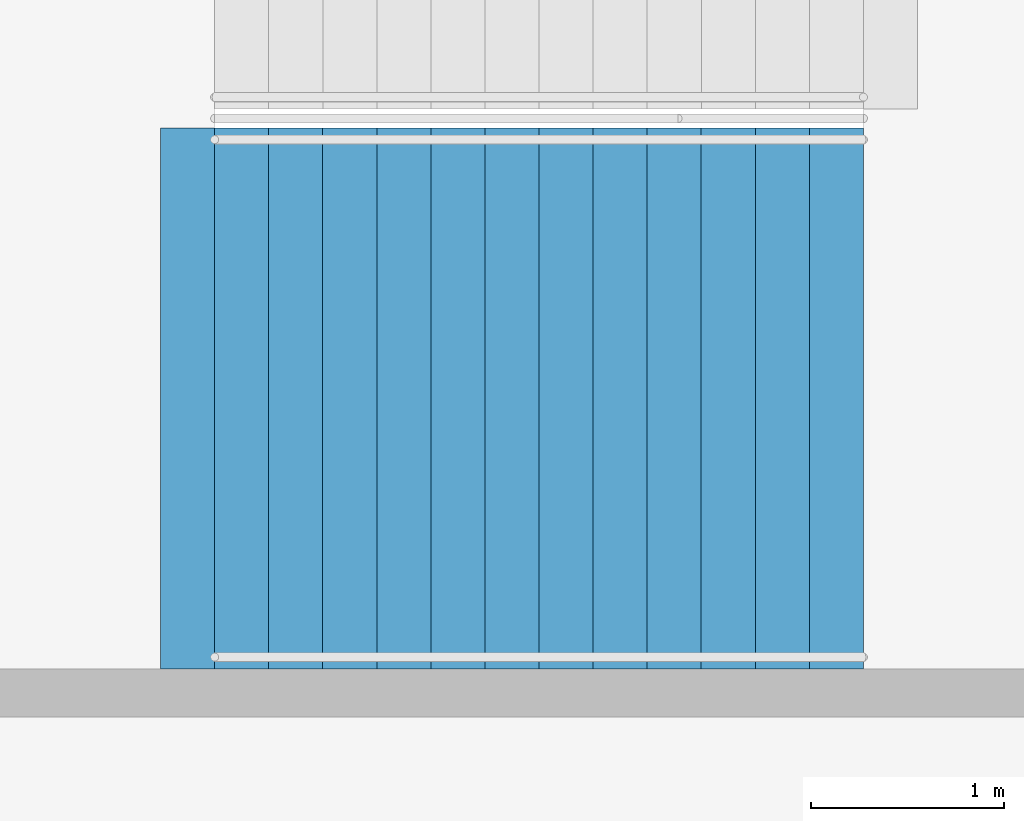
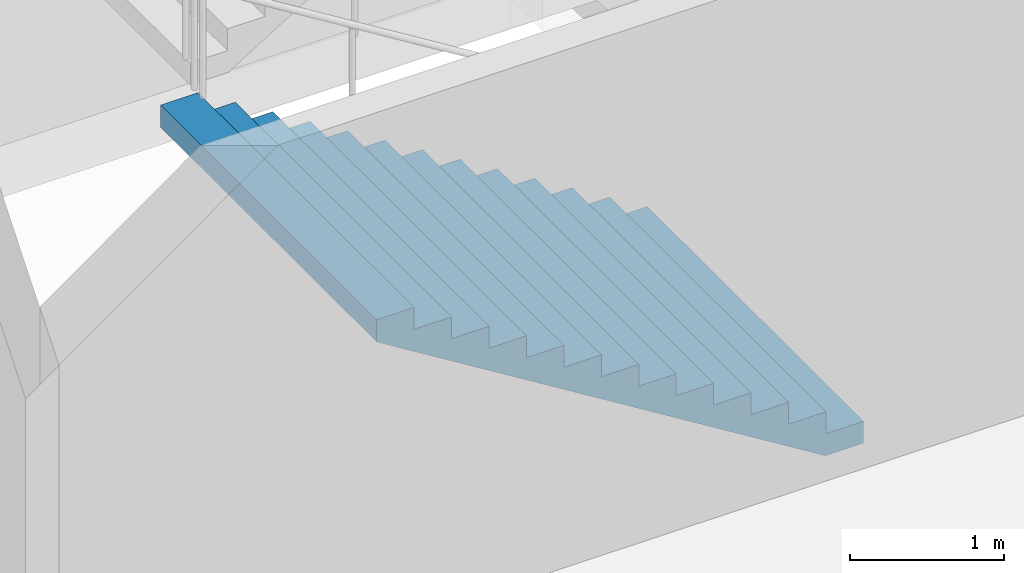
# One storey, part 134 of 199: 1 stair flight, 1 element without a shape of its own.
"""IFC4 building model written with IfcOpenShell, lengths in metres."""

from ifc_helpers import new_model, si_unit, direction, frame, origin, place, context, subcontext, project, spatial, faceted_brep, material, type_object, element, aggregate, save


model = new_model("IFC4")

# Units and contexts
model_context = context("Model", 3, precision=1e-05, world=origin(), true_north=direction((0.0, 1.0)))
body_context = subcontext(model_context, "Body", "Model", "MODEL_VIEW")
ifc_project = project(units=[si_unit("LENGTHUNIT", "METRE"), si_unit("AREAUNIT", "SQUARE_METRE"), si_unit("VOLUMEUNIT", "CUBIC_METRE"), si_unit("PLANEANGLEUNIT", "RADIAN"), si_unit("MASSUNIT", "GRAM", prefix="KILO")], contexts=[model_context])

# Site, building, storey
site_placement = place(None, origin())
site = spatial("IfcSite", under=ifc_project, at=site_placement, CompositionType="ELEMENT")
building_placement = place(site_placement, origin())
building = spatial("IfcBuilding", under=site, at=building_placement, Name="Ogive Plaza Stadium", CompositionType="ELEMENT")
storey_placement = place(building_placement, frame((0.0, 0.0, 4.5)))
storey = spatial("IfcBuildingStorey", under=building, at=storey_placement, Name="L01", CompositionType="ELEMENT", Elevation=4.5)

# Stair, stair flight
ifc_material_1 = material(Name="Concrete C40/50", Category="concrete")
stair_type = type_object("IfcStairType", Name="Exit stair", PredefinedType="STRAIGHT_RUN_STAIR", material=ifc_material_1)
stair_placement = place(storey_placement, origin())
stair = element("IfcStair", 1, at=stair_placement, inside=storey, type_object=stair_type, Name="Exit stair ST26B L01 to L02", PredefinedType="STRAIGHT_RUN_STAIR")
ifc_material_2 = material(Name="Concrete C40/50", Category="concrete")
stair_flight_type = type_object("IfcStairFlightType", Name="Exit stair flight", PredefinedType="STRAIGHT", material=ifc_material_2)
stair_flight_placement = place(storey_placement, frame((-76.35009765625, 18.074951171875, 0.0), z_axis=(0.0, 0.0, 1.0), x_axis=(-1.0, 0.0, 0.0)))
stair_flight = element("IfcStairFlight", 2, at=stair_flight_placement, type_object=stair_flight_type, Name="ST26B flight 1", NumberOfRisers=13, NumberOfTreads=12, PredefinedType="STRAIGHT", RiserHeight=0.173076923, TreadLength=0.28, context=body_context, shape_type="Brep", body=[
    faceted_brep([(0.28515625, -1.39990234375, 0.0), (3.639892578125, -1.39990234375, 2.07373046875), (3.639892578125, -1.39990234375, 2.25), (3.360107421875, -1.39990234375, 2.25), (3.360107421875, -1.39990234375, 2.076904296875), (3.080078125, -1.39990234375, 2.076904296875), (3.080078125, -1.39990234375, 1.90380859375), (2.800048828125, -1.39990234375, 1.90380859375), (2.800048828125, -1.39990234375, 1.730712890625), (2.52001953125, -1.39990234375, 1.730712890625), (2.52001953125, -1.39990234375, 1.5576171875), (2.239990234375, -1.39990234375, 1.5576171875), (2.239990234375, -1.39990234375, 1.384521484375), (1.9599609375, -1.39990234375, 1.384521484375), (1.9599609375, -1.39990234375, 1.21142578125), (1.679931640625, -1.39990234375, 1.21142578125), (1.679931640625, -1.39990234375, 1.03857421875), (1.39990234375, -1.39990234375, 1.03857421875), (1.39990234375, -1.39990234375, 0.865478515625), (1.1201171875, -1.39990234375, 0.865478515625), (1.1201171875, -1.39990234375, 0.6923828125), (0.840087890625, -1.39990234375, 0.6923828125), (0.840087890625, -1.39990234375, 0.519287109375), (0.56005859375, -1.39990234375, 0.519287109375), (0.56005859375, -1.39990234375, 0.34619140625), (0.280029296875, -1.39990234375, 0.34619140625), (0.280029296875, -1.39990234375, 0.173095703125), (0.0, -1.39990234375, 0.173095703125), (0.0, -1.39990234375, 0.0), (0.0, 1.39990234375, 0.0), (0.0, 1.39990234375, 0.173095703125), (0.280029296875, 1.39990234375, 0.173095703125), (0.280029296875, 1.39990234375, 0.34619140625), (0.56005859375, 1.39990234375, 0.34619140625), (0.56005859375, 1.39990234375, 0.519287109375), (0.840087890625, 1.39990234375, 0.519287109375), (0.840087890625, 1.39990234375, 0.6923828125), (1.1201171875, 1.39990234375, 0.6923828125), (1.1201171875, 1.39990234375, 0.865478515625), (1.39990234375, 1.39990234375, 0.865478515625), (1.39990234375, 1.39990234375, 1.03857421875), (1.679931640625, 1.39990234375, 1.03857421875), (1.679931640625, 1.39990234375, 1.21142578125), (1.9599609375, 1.39990234375, 1.21142578125), (1.9599609375, 1.39990234375, 1.384521484375), (2.239990234375, 1.39990234375, 1.384521484375), (2.239990234375, 1.39990234375, 1.5576171875), (2.52001953125, 1.39990234375, 1.5576171875), (2.52001953125, 1.39990234375, 1.730712890625), (2.800048828125, 1.39990234375, 1.730712890625), (2.800048828125, 1.39990234375, 1.90380859375), (3.080078125, 1.39990234375, 1.90380859375), (3.080078125, 1.39990234375, 2.076904296875), (3.360107421875, 1.39990234375, 2.076904296875), (3.360107421875, 1.39990234375, 2.25), (3.639892578125, 1.39990234375, 2.25), (3.639892578125, 1.39990234375, 2.07373046875), (0.28515625, 1.39990234375, 0.0), (0.28515625, -1.0888671875, 0.0), (3.639892578125, -1.0888671875, 2.07373046875), (0.28515625, -0.77783203125, 0.0), (3.639892578125, -0.77783203125, 2.07373046875), (0.28515625, -0.466796875, 0.0), (3.639892578125, -0.466796875, 2.07373046875), (0.28515625, -0.155517578125, 0.0), (3.639892578125, -0.155517578125, 2.07373046875), (0.28515625, 0.155517578125, 0.0), (3.639892578125, 0.155517578125, 2.07373046875), (0.28515625, 0.466796875, 0.0), (3.639892578125, 0.466796875, 2.07373046875), (0.28515625, 0.77783203125, 0.0), (3.639892578125, 0.77783203125, 2.07373046875), (0.28515625, 1.0888671875, 0.0), (3.639892578125, 1.0888671875, 2.07373046875), (3.639892578125, -1.0888671875, 2.25), (3.639892578125, -0.77783203125, 2.25), (3.639892578125, -0.466796875, 2.25), (3.639892578125, -0.155517578125, 2.25), (3.639892578125, 0.155517578125, 2.25), (3.639892578125, 0.466796875, 2.25), (3.639892578125, 0.77783203125, 2.25), (3.639892578125, 1.0888671875, 2.25), (3.360107421875, -1.0888671875, 2.25), (3.360107421875, -0.77783203125, 2.25), (3.360107421875, -0.466796875, 2.25), (3.360107421875, -0.155517578125, 2.25), (3.360107421875, 0.155517578125, 2.25), (3.360107421875, 0.466796875, 2.25), (3.360107421875, 0.77783203125, 2.25), (3.360107421875, 1.0888671875, 2.25), (3.360107421875, -1.0888671875, 2.076904296875), (3.360107421875, -0.77783203125, 2.076904296875), (3.360107421875, -0.466796875, 2.076904296875), (3.360107421875, -0.155517578125, 2.076904296875), (3.360107421875, 0.155517578125, 2.076904296875), (3.360107421875, 0.466796875, 2.076904296875), (3.360107421875, 0.77783203125, 2.076904296875), (3.360107421875, 1.0888671875, 2.076904296875), (3.080078125, -1.0888671875, 2.076904296875), (3.080078125, -0.77783203125, 2.076904296875), (3.080078125, -0.466796875, 2.076904296875), (3.080078125, -0.155517578125, 2.076904296875), (3.080078125, 0.155517578125, 2.076904296875), (3.080078125, 0.466796875, 2.076904296875), (3.080078125, 0.77783203125, 2.076904296875), (3.080078125, 1.0888671875, 2.076904296875), (3.080078125, -1.0888671875, 1.90380859375), (3.080078125, -0.77783203125, 1.90380859375), (3.080078125, -0.466796875, 1.90380859375), (3.080078125, -0.155517578125, 1.90380859375), (3.080078125, 0.155517578125, 1.90380859375), (3.080078125, 0.466796875, 1.90380859375), (3.080078125, 0.77783203125, 1.90380859375), (3.080078125, 1.0888671875, 1.90380859375), (2.800048828125, -1.0888671875, 1.90380859375), (2.800048828125, -0.77783203125, 1.90380859375), (2.800048828125, -0.466796875, 1.90380859375), (2.800048828125, -0.155517578125, 1.90380859375), (2.800048828125, 0.155517578125, 1.90380859375), (2.800048828125, 0.466796875, 1.90380859375), (2.800048828125, 0.77783203125, 1.90380859375), (2.800048828125, 1.0888671875, 1.90380859375), (2.800048828125, -1.0888671875, 1.730712890625), (2.800048828125, -0.77783203125, 1.730712890625), (2.800048828125, -0.466796875, 1.730712890625), (2.800048828125, -0.155517578125, 1.730712890625), (2.800048828125, 0.155517578125, 1.730712890625), (2.800048828125, 0.466796875, 1.730712890625), (2.800048828125, 0.77783203125, 1.730712890625), (2.800048828125, 1.0888671875, 1.730712890625), (2.52001953125, -1.0888671875, 1.730712890625), (2.52001953125, -0.77783203125, 1.730712890625), (2.52001953125, -0.466796875, 1.730712890625), (2.52001953125, -0.155517578125, 1.730712890625), (2.52001953125, 0.155517578125, 1.730712890625), (2.52001953125, 0.466796875, 1.730712890625), (2.52001953125, 0.77783203125, 1.730712890625), (2.52001953125, 1.0888671875, 1.730712890625), (2.52001953125, -1.0888671875, 1.5576171875), (2.52001953125, -0.77783203125, 1.5576171875), (2.52001953125, -0.466796875, 1.5576171875), (2.52001953125, -0.155517578125, 1.5576171875), (2.52001953125, 0.155517578125, 1.5576171875), (2.52001953125, 0.466796875, 1.5576171875), (2.52001953125, 0.77783203125, 1.5576171875), (2.52001953125, 1.0888671875, 1.5576171875), (2.239990234375, -1.0888671875, 1.5576171875), (2.239990234375, -0.77783203125, 1.5576171875), (2.239990234375, -0.466796875, 1.5576171875), (2.239990234375, -0.155517578125, 1.5576171875), (2.239990234375, 0.155517578125, 1.5576171875), (2.239990234375, 0.466796875, 1.5576171875), (2.239990234375, 0.77783203125, 1.5576171875), (2.239990234375, 1.0888671875, 1.5576171875), (2.239990234375, -1.0888671875, 1.384521484375), (2.239990234375, -0.77783203125, 1.384521484375), (2.239990234375, -0.466796875, 1.384521484375), (2.239990234375, -0.155517578125, 1.384521484375), (2.239990234375, 0.155517578125, 1.384521484375), (2.239990234375, 0.466796875, 1.384521484375), (2.239990234375, 0.77783203125, 1.384521484375), (2.239990234375, 1.0888671875, 1.384521484375), (1.9599609375, -1.0888671875, 1.384521484375), (1.9599609375, -0.77783203125, 1.384521484375), (1.9599609375, -0.466796875, 1.384521484375), (1.9599609375, -0.155517578125, 1.384521484375), (1.9599609375, 0.155517578125, 1.384521484375), (1.9599609375, 0.466796875, 1.384521484375), (1.9599609375, 0.77783203125, 1.384521484375), (1.9599609375, 1.0888671875, 1.384521484375), (1.9599609375, -1.0888671875, 1.21142578125), (1.9599609375, -0.77783203125, 1.21142578125), (1.9599609375, -0.466796875, 1.21142578125), (1.9599609375, -0.155517578125, 1.21142578125), (1.9599609375, 0.155517578125, 1.21142578125), (1.9599609375, 0.466796875, 1.21142578125), (1.9599609375, 0.77783203125, 1.21142578125), (1.9599609375, 1.0888671875, 1.21142578125), (1.679931640625, -1.0888671875, 1.21142578125), (1.679931640625, -0.77783203125, 1.21142578125), (1.679931640625, -0.466796875, 1.21142578125), (1.679931640625, -0.155517578125, 1.21142578125), (1.679931640625, 0.155517578125, 1.21142578125), (1.679931640625, 0.466796875, 1.21142578125), (1.679931640625, 0.77783203125, 1.21142578125), (1.679931640625, 1.0888671875, 1.21142578125), (1.679931640625, -1.0888671875, 1.03857421875), (1.679931640625, -0.77783203125, 1.03857421875), (1.679931640625, -0.466796875, 1.03857421875), (1.679931640625, -0.155517578125, 1.03857421875), (1.679931640625, 0.155517578125, 1.03857421875), (1.679931640625, 0.466796875, 1.03857421875), (1.679931640625, 0.77783203125, 1.03857421875), (1.679931640625, 1.0888671875, 1.03857421875), (1.39990234375, -1.0888671875, 1.03857421875), (1.39990234375, -0.77783203125, 1.03857421875), (1.39990234375, -0.466796875, 1.03857421875), (1.39990234375, -0.155517578125, 1.03857421875), (1.39990234375, 0.155517578125, 1.03857421875), (1.39990234375, 0.466796875, 1.03857421875), (1.39990234375, 0.77783203125, 1.03857421875), (1.39990234375, 1.0888671875, 1.03857421875), (1.39990234375, -1.0888671875, 0.865478515625), (1.39990234375, -0.77783203125, 0.865478515625), (1.39990234375, -0.466796875, 0.865478515625), (1.39990234375, -0.155517578125, 0.865478515625), (1.39990234375, 0.155517578125, 0.865478515625), (1.39990234375, 0.466796875, 0.865478515625), (1.39990234375, 0.77783203125, 0.865478515625), (1.39990234375, 1.0888671875, 0.865478515625), (1.1201171875, -1.0888671875, 0.865478515625), (1.1201171875, -0.77783203125, 0.865478515625), (1.1201171875, -0.466796875, 0.865478515625), (1.1201171875, -0.155517578125, 0.865478515625), (1.1201171875, 0.155517578125, 0.865478515625), (1.1201171875, 0.466796875, 0.865478515625), (1.1201171875, 0.77783203125, 0.865478515625), (1.1201171875, 1.0888671875, 0.865478515625), (1.1201171875, -1.0888671875, 0.6923828125), (1.1201171875, -0.77783203125, 0.6923828125), (1.1201171875, -0.466796875, 0.6923828125), (1.1201171875, -0.155517578125, 0.6923828125), (1.1201171875, 0.155517578125, 0.6923828125), (1.1201171875, 0.466796875, 0.6923828125), (1.1201171875, 0.77783203125, 0.6923828125), (1.1201171875, 1.0888671875, 0.6923828125), (0.840087890625, -1.0888671875, 0.6923828125), (0.840087890625, -0.77783203125, 0.6923828125), (0.840087890625, -0.466796875, 0.6923828125), (0.840087890625, -0.155517578125, 0.6923828125), (0.840087890625, 0.155517578125, 0.6923828125), (0.840087890625, 0.466796875, 0.6923828125), (0.840087890625, 0.77783203125, 0.6923828125), (0.840087890625, 1.0888671875, 0.6923828125), (0.840087890625, -1.0888671875, 0.519287109375), (0.840087890625, -0.77783203125, 0.519287109375), (0.840087890625, -0.466796875, 0.519287109375), (0.840087890625, -0.155517578125, 0.519287109375), (0.840087890625, 0.155517578125, 0.519287109375), (0.840087890625, 0.466796875, 0.519287109375), (0.840087890625, 0.77783203125, 0.519287109375), (0.840087890625, 1.0888671875, 0.519287109375), (0.56005859375, -1.0888671875, 0.519287109375), (0.56005859375, -0.77783203125, 0.519287109375), (0.56005859375, -0.466796875, 0.519287109375), (0.56005859375, -0.155517578125, 0.519287109375), (0.56005859375, 0.155517578125, 0.519287109375), (0.56005859375, 0.466796875, 0.519287109375), (0.56005859375, 0.77783203125, 0.519287109375), (0.56005859375, 1.0888671875, 0.519287109375), (0.56005859375, -1.0888671875, 0.34619140625), (0.56005859375, -0.77783203125, 0.34619140625), (0.56005859375, -0.466796875, 0.34619140625), (0.56005859375, -0.155517578125, 0.34619140625), (0.56005859375, 0.155517578125, 0.34619140625), (0.56005859375, 0.466796875, 0.34619140625), (0.56005859375, 0.77783203125, 0.34619140625), (0.56005859375, 1.0888671875, 0.34619140625), (0.280029296875, -1.0888671875, 0.34619140625), (0.280029296875, -0.77783203125, 0.34619140625), (0.280029296875, -0.466796875, 0.34619140625), (0.280029296875, -0.155517578125, 0.34619140625), (0.280029296875, 0.155517578125, 0.34619140625), (0.280029296875, 0.466796875, 0.34619140625), (0.280029296875, 0.77783203125, 0.34619140625), (0.280029296875, 1.0888671875, 0.34619140625), (0.280029296875, -1.0888671875, 0.173095703125), (0.280029296875, -0.77783203125, 0.173095703125), (0.280029296875, -0.466796875, 0.173095703125), (0.280029296875, -0.155517578125, 0.173095703125), (0.280029296875, 0.155517578125, 0.173095703125), (0.280029296875, 0.466796875, 0.173095703125), (0.280029296875, 0.77783203125, 0.173095703125), (0.280029296875, 1.0888671875, 0.173095703125), (0.0, -1.0888671875, 0.173095703125), (0.0, -0.77783203125, 0.173095703125), (0.0, -0.466796875, 0.173095703125), (0.0, -0.155517578125, 0.173095703125), (0.0, 0.155517578125, 0.173095703125), (0.0, 0.466796875, 0.173095703125), (0.0, 0.77783203125, 0.173095703125), (0.0, 1.0888671875, 0.173095703125), (0.0, -1.0888671875, 0.0), (0.0, -0.77783203125, 0.0), (0.0, -0.466796875, 0.0), (0.0, -0.155517578125, 0.0), (0.0, 0.155517578125, 0.0), (0.0, 0.466796875, 0.0), (0.0, 0.77783203125, 0.0), (0.0, 1.0888671875, 0.0)], [[[0, 1, 2, 3, 4, 5, 6, 7, 8, 9, 10, 11, 12, 13, 14, 15, 16, 17, 18, 19, 20, 21, 22, 23, 24, 25, 26, 27, 28]], [[29, 30, 31, 32, 33, 34, 35, 36, 37, 38, 39, 40, 41, 42, 43, 44, 45, 46, 47, 48, 49, 50, 51, 52, 53, 54, 55, 56, 57]], [[0, 58, 59, 1]], [[58, 60, 61, 59]], [[60, 62, 63, 61]], [[62, 64, 65, 63]], [[64, 66, 67, 65]], [[66, 68, 69, 67]], [[68, 70, 71, 69]], [[70, 72, 73, 71]], [[72, 57, 56, 73]], [[1, 59, 74, 2]], [[59, 61, 75, 74]], [[61, 63, 76, 75]], [[63, 65, 77, 76]], [[65, 67, 78, 77]], [[67, 69, 79, 78]], [[69, 71, 80, 79]], [[71, 73, 81, 80]], [[73, 56, 55, 81]], [[2, 74, 82, 3]], [[74, 75, 83, 82]], [[75, 76, 84, 83]], [[76, 77, 85, 84]], [[77, 78, 86, 85]], [[78, 79, 87, 86]], [[79, 80, 88, 87]], [[80, 81, 89, 88]], [[81, 55, 54, 89]], [[3, 82, 90, 4]], [[82, 83, 91, 90]], [[83, 84, 92, 91]], [[84, 85, 93, 92]], [[85, 86, 94, 93]], [[86, 87, 95, 94]], [[87, 88, 96, 95]], [[88, 89, 97, 96]], [[89, 54, 53, 97]], [[4, 90, 98, 5]], [[90, 91, 99, 98]], [[91, 92, 100, 99]], [[92, 93, 101, 100]], [[93, 94, 102, 101]], [[94, 95, 103, 102]], [[95, 96, 104, 103]], [[96, 97, 105, 104]], [[97, 53, 52, 105]], [[5, 98, 106, 6]], [[98, 99, 107, 106]], [[99, 100, 108, 107]], [[100, 101, 109, 108]], [[101, 102, 110, 109]], [[102, 103, 111, 110]], [[103, 104, 112, 111]], [[104, 105, 113, 112]], [[105, 52, 51, 113]], [[6, 106, 114, 7]], [[106, 107, 115, 114]], [[107, 108, 116, 115]], [[108, 109, 117, 116]], [[109, 110, 118, 117]], [[110, 111, 119, 118]], [[111, 112, 120, 119]], [[112, 113, 121, 120]], [[113, 51, 50, 121]], [[7, 114, 122, 8]], [[114, 115, 123, 122]], [[115, 116, 124, 123]], [[116, 117, 125, 124]], [[117, 118, 126, 125]], [[118, 119, 127, 126]], [[119, 120, 128, 127]], [[120, 121, 129, 128]], [[121, 50, 49, 129]], [[8, 122, 130, 9]], [[122, 123, 131, 130]], [[123, 124, 132, 131]], [[124, 125, 133, 132]], [[125, 126, 134, 133]], [[126, 127, 135, 134]], [[127, 128, 136, 135]], [[128, 129, 137, 136]], [[129, 49, 48, 137]], [[9, 130, 138, 10]], [[130, 131, 139, 138]], [[131, 132, 140, 139]], [[132, 133, 141, 140]], [[133, 134, 142, 141]], [[134, 135, 143, 142]], [[135, 136, 144, 143]], [[136, 137, 145, 144]], [[137, 48, 47, 145]], [[10, 138, 146, 11]], [[138, 139, 147, 146]], [[139, 140, 148, 147]], [[140, 141, 149, 148]], [[141, 142, 150, 149]], [[142, 143, 151, 150]], [[143, 144, 152, 151]], [[144, 145, 153, 152]], [[145, 47, 46, 153]], [[11, 146, 154, 12]], [[146, 147, 155, 154]], [[147, 148, 156, 155]], [[148, 149, 157, 156]], [[149, 150, 158, 157]], [[150, 151, 159, 158]], [[151, 152, 160, 159]], [[152, 153, 161, 160]], [[153, 46, 45, 161]], [[12, 154, 162, 13]], [[154, 155, 163, 162]], [[155, 156, 164, 163]], [[156, 157, 165, 164]], [[157, 158, 166, 165]], [[158, 159, 167, 166]], [[159, 160, 168, 167]], [[160, 161, 169, 168]], [[161, 45, 44, 169]], [[13, 162, 170, 14]], [[162, 163, 171, 170]], [[163, 164, 172, 171]], [[164, 165, 173, 172]], [[165, 166, 174, 173]], [[166, 167, 175, 174]], [[167, 168, 176, 175]], [[168, 169, 177, 176]], [[169, 44, 43, 177]], [[14, 170, 178, 15]], [[170, 171, 179, 178]], [[171, 172, 180, 179]], [[172, 173, 181, 180]], [[173, 174, 182, 181]], [[174, 175, 183, 182]], [[175, 176, 184, 183]], [[176, 177, 185, 184]], [[177, 43, 42, 185]], [[15, 178, 186, 16]], [[178, 179, 187, 186]], [[179, 180, 188, 187]], [[180, 181, 189, 188]], [[181, 182, 190, 189]], [[182, 183, 191, 190]], [[183, 184, 192, 191]], [[184, 185, 193, 192]], [[185, 42, 41, 193]], [[16, 186, 194, 17]], [[186, 187, 195, 194]], [[187, 188, 196, 195]], [[188, 189, 197, 196]], [[189, 190, 198, 197]], [[190, 191, 199, 198]], [[191, 192, 200, 199]], [[192, 193, 201, 200]], [[193, 41, 40, 201]], [[17, 194, 202, 18]], [[194, 195, 203, 202]], [[195, 196, 204, 203]], [[196, 197, 205, 204]], [[197, 198, 206, 205]], [[198, 199, 207, 206]], [[199, 200, 208, 207]], [[200, 201, 209, 208]], [[201, 40, 39, 209]], [[18, 202, 210, 19]], [[202, 203, 211, 210]], [[203, 204, 212, 211]], [[204, 205, 213, 212]], [[205, 206, 214, 213]], [[206, 207, 215, 214]], [[207, 208, 216, 215]], [[208, 209, 217, 216]], [[209, 39, 38, 217]], [[19, 210, 218, 20]], [[210, 211, 219, 218]], [[211, 212, 220, 219]], [[212, 213, 221, 220]], [[213, 214, 222, 221]], [[214, 215, 223, 222]], [[215, 216, 224, 223]], [[216, 217, 225, 224]], [[217, 38, 37, 225]], [[20, 218, 226, 21]], [[218, 219, 227, 226]], [[219, 220, 228, 227]], [[220, 221, 229, 228]], [[221, 222, 230, 229]], [[222, 223, 231, 230]], [[223, 224, 232, 231]], [[224, 225, 233, 232]], [[225, 37, 36, 233]], [[21, 226, 234, 22]], [[226, 227, 235, 234]], [[227, 228, 236, 235]], [[228, 229, 237, 236]], [[229, 230, 238, 237]], [[230, 231, 239, 238]], [[231, 232, 240, 239]], [[232, 233, 241, 240]], [[233, 36, 35, 241]], [[22, 234, 242, 23]], [[234, 235, 243, 242]], [[235, 236, 244, 243]], [[236, 237, 245, 244]], [[237, 238, 246, 245]], [[238, 239, 247, 246]], [[239, 240, 248, 247]], [[240, 241, 249, 248]], [[241, 35, 34, 249]], [[23, 242, 250, 24]], [[242, 243, 251, 250]], [[243, 244, 252, 251]], [[244, 245, 253, 252]], [[245, 246, 254, 253]], [[246, 247, 255, 254]], [[247, 248, 256, 255]], [[248, 249, 257, 256]], [[249, 34, 33, 257]], [[24, 250, 258, 25]], [[250, 251, 259, 258]], [[251, 252, 260, 259]], [[252, 253, 261, 260]], [[253, 254, 262, 261]], [[254, 255, 263, 262]], [[255, 256, 264, 263]], [[256, 257, 265, 264]], [[257, 33, 32, 265]], [[25, 258, 266, 26]], [[258, 259, 267, 266]], [[259, 260, 268, 267]], [[260, 261, 269, 268]], [[261, 262, 270, 269]], [[262, 263, 271, 270]], [[263, 264, 272, 271]], [[264, 265, 273, 272]], [[265, 32, 31, 273]], [[26, 266, 274, 27]], [[266, 267, 275, 274]], [[267, 268, 276, 275]], [[268, 269, 277, 276]], [[269, 270, 278, 277]], [[270, 271, 279, 278]], [[271, 272, 280, 279]], [[272, 273, 281, 280]], [[273, 31, 30, 281]], [[27, 274, 282, 28]], [[274, 275, 283, 282]], [[275, 276, 284, 283]], [[276, 277, 285, 284]], [[277, 278, 286, 285]], [[278, 279, 287, 286]], [[279, 280, 288, 287]], [[280, 281, 289, 288]], [[281, 30, 29, 289]], [[28, 282, 58, 0]], [[282, 283, 60, 58]], [[283, 284, 62, 60]], [[284, 285, 64, 62]], [[285, 286, 66, 64]], [[286, 287, 68, 66]], [[287, 288, 70, 68]], [[288, 289, 72, 70]], [[289, 29, 57, 72]]]),
])
aggregate(stair, [stair_flight])

save(model, "model.ifc")
